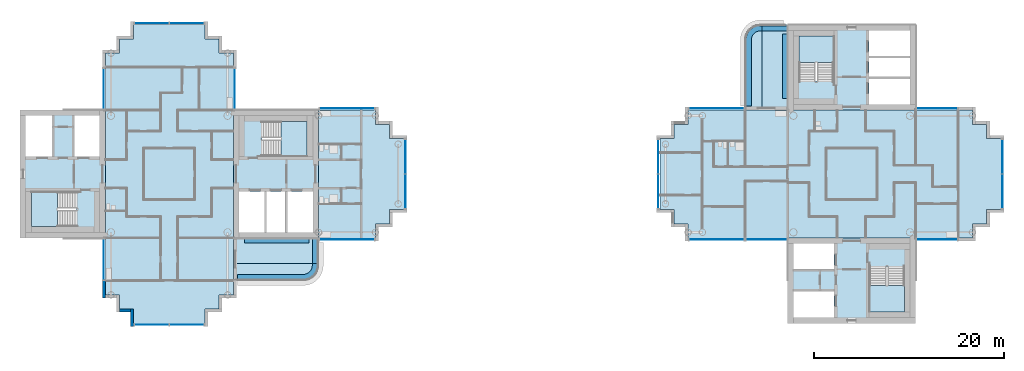
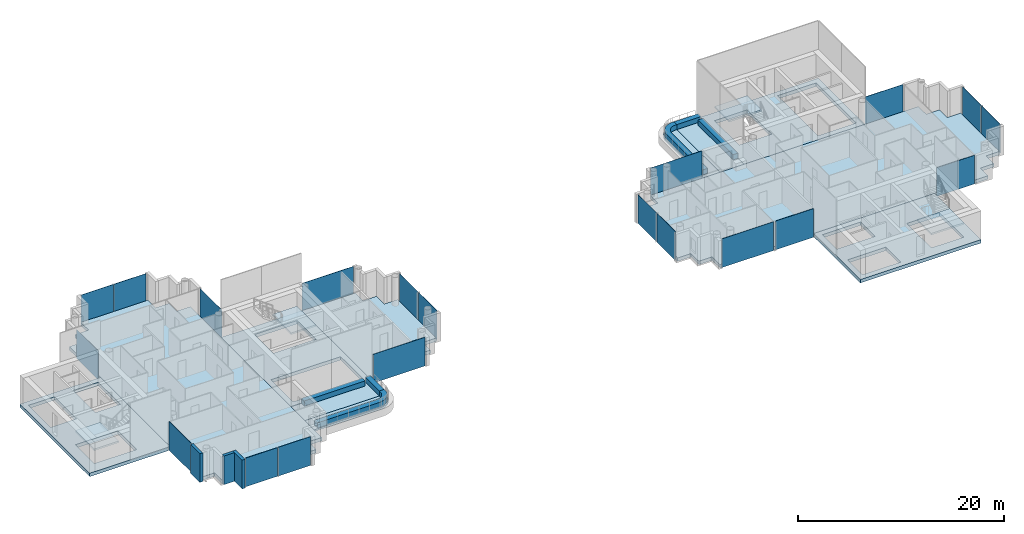
# One storey, part 5 of 18: 21 slabs, 20 plates, 3 walls, 19 elements without a shape of their own.
"""IFC4 building model written with IfcOpenShell, lengths in metres."""

from ifc_helpers import new_model, si_unit, direction, frame, frame_2d, origin, origin_2d, place, context, subcontext, project, spatial, polyline, rectangle, outline, extrude, material, layer, layer_set, type_object, element, aggregate, save


model = new_model("IFC4")

# Units and contexts
model_context = context("Model", 3, precision=1e-05, world=origin(), true_north=direction((0.0, 1.0)))
body_context = subcontext(model_context, "Body", "Model", "MODEL_VIEW")
ifc_project = project(units=[si_unit("LENGTHUNIT", "METRE"), si_unit("AREAUNIT", "SQUARE_METRE"), si_unit("VOLUMEUNIT", "CUBIC_METRE"), si_unit("PLANEANGLEUNIT", "RADIAN"), si_unit("MASSUNIT", "GRAM", prefix="KILO")], contexts=[model_context])

# Site, building, storey
site_placement = place(None, origin())
site = spatial("IfcSite", under=ifc_project, at=site_placement, CompositionType="ELEMENT")
building_placement = place(site_placement, origin())
building = spatial("IfcBuilding", under=site, at=building_placement, Name="Ipe Terrace Towers", CompositionType="ELEMENT")
storey_placement = place(building_placement, frame((0.0, 0.0, 199.39990234375)))
storey = spatial("IfcBuildingStorey", under=building, at=storey_placement, Name="L55", CompositionType="ELEMENT", Elevation=199.39990234375)

# Slabs
ifc_material_1 = material(Name="Concrete C30/37", Category="concrete")
ifc_layer_1 = layer(ifc_material_1, 0.199951171875)
ifc_layer_set_1 = layer_set([ifc_layer_1], Name="BALCONY SLAB 200")
slab_type_1 = type_object("IfcSlabType", Name="BALCONY SLAB 200", PredefinedType="FLOOR", material=ifc_layer_set_1)
slab_1_placement = place(storey_placement, frame((0.0, 0.0, -0.219970703125)))
element("IfcSlab", 1, at=slab_1_placement, inside=storey, type_object=slab_type_1, Name="balcony slab", PredefinedType="FLOOR", context=body_context, shape_type="SweptSolid", body=[
    extrude(outline(polyline([(-20.25, -6.75), (-29.25, -6.75), (-29.25, -9.449951171875), (-20.25, -9.449951171875), (-20.25, -6.75)])), origin(), (0.0, 0.0, 1.0), 0.199951171875),
])
slab_2_placement = place(storey_placement, frame((0.0, 0.0, -0.219970703125)))
element("IfcSlab", 2, at=slab_2_placement, inside=storey, type_object=slab_type_1, Name="balcony slab", PredefinedType="FLOOR", context=body_context, shape_type="SweptSolid", body=[
    extrude(outline(polyline([(-29.25, -11.25), (-21.85009765625, -11.25), (-21.64111328125, -11.236083984375), (-21.43603515625, -11.195068359375), (-21.238037109375, -11.1279296875), (-21.050048828125, -11.035888671875), (-20.8759765625, -10.9189453125), (-20.718994140625, -10.781005859375), (-20.5810546875, -10.6240234375), (-20.464111328125, -10.449951171875), (-20.3720703125, -10.261962890625), (-20.304931640625, -10.06396484375), (-20.263916015625, -9.85888671875), (-20.25, -9.64990234375), (-20.25, -9.449951171875), (-29.25, -9.449951171875), (-29.25, -11.25)])), origin(), (0.0, 0.0, 1.0), 0.199951171875),
])
slab_3_placement = place(storey_placement, frame((0.0, 0.0, -0.219970703125)))
element("IfcSlab", 3, at=slab_3_placement, inside=storey, type_object=slab_type_1, Name="balcony slab", PredefinedType="FLOOR", context=body_context, shape_type="SweptSolid", body=[
    extrude(outline(polyline([(29.25, 15.75), (26.550048828125, 15.75), (26.550048828125, 6.75), (29.25, 6.75), (29.25, 15.75)])), origin(), (0.0, 0.0, 1.0), 0.199951171875),
])
slab_4_placement = place(storey_placement, frame((0.0, 0.0, -0.219970703125)))
element("IfcSlab", 4, at=slab_4_placement, inside=storey, type_object=slab_type_1, Name="balcony slab", PredefinedType="FLOOR", context=body_context, shape_type="SweptSolid", body=[
    extrude(outline(polyline([(24.75, 6.75), (26.550048828125, 6.75), (26.550048828125, 15.75), (26.35009765625, 15.75), (26.14111328125, 15.736083984375), (25.93603515625, 15.695068359375), (25.738037109375, 15.6279296875), (25.550048828125, 15.535888671875), (25.3759765625, 15.4189453125), (25.218994140625, 15.281005859375), (25.0810546875, 15.1240234375), (24.964111328125, 14.949951171875), (24.8720703125, 14.761962890625), (24.804931640625, 14.56396484375), (24.763916015625, 14.35888671875), (24.75, 14.14990234375), (24.75, 6.75)])), origin(), (0.0, 0.0, 1.0), 0.199951171875),
])
ifc_material_2 = material(Name="Concrete C30/37", Category="concrete")
ifc_layer_2 = layer(ifc_material_2, 0.39990234375)
ifc_layer_set_2 = layer_set([ifc_layer_2], Name="CORE FLOOR SLAB 400 C30-37")
slab_type_2 = type_object("IfcSlabType", Name="CORE FLOOR SLAB 400 C30-37", PredefinedType="FLOOR", material=ifc_layer_set_2)
slab_5_placement = place(storey_placement, frame((0.0, 0.0, -0.39990234375)))
element("IfcSlab", 5, at=slab_5_placement, inside=storey, type_object=slab_type_2, Name="Core floor T1-C1", PredefinedType="FLOOR", context=body_context, shape_type="SweptSolid", body=[
    extrude(outline(polyline([(-29.25, -6.75), (-29.25, 6.75), (-20.25, 6.75), (-20.25, -6.75), (-29.25, -6.75)]), holes=[polyline([(-28.64990234375, -6.14990234375), (-20.85009765625, -6.14990234375), (-20.85009765625, -1.85009765625), (-28.64990234375, -1.85009765625), (-28.64990234375, -6.14990234375)]), polyline([(-26.199951171875, 5.550048828125), (-26.199951171875, 1.89990234375), (-21.449951171875, 1.89990234375), (-21.449951171875, 5.550048828125), (-26.199951171875, 5.550048828125)])]), origin(), (0.0, 0.0, 1.0), 0.39990234375),
])
slab_6_placement = place(storey_placement, frame((0.0, 0.0, -0.39990234375)))
element("IfcSlab", 6, at=slab_6_placement, inside=storey, type_object=slab_type_2, Name="Core floor T1-C2", PredefinedType="FLOOR", context=body_context, shape_type="SweptSolid", body=[
    extrude(outline(polyline([(-51.75, -6.75), (-51.75, 6.75), (-42.75, 6.75), (-42.75, -6.75), (-51.75, -6.75)]), holes=[polyline([(-45.800048828125, -1.89990234375), (-50.550048828125, -1.89990234375), (-50.550048828125, -5.550048828125), (-45.800048828125, -5.550048828125), (-45.800048828125, -1.89990234375)]), polyline([(-48.25, 1.85009765625), (-48.25, 6.14990234375), (-51.14990234375, 6.14990234375), (-51.14990234375, 1.85009765625), (-48.25, 1.85009765625)]), polyline([(-43.35009765625, 1.85009765625), (-43.35009765625, 6.14990234375), (-46.14990234375, 6.14990234375), (-46.14990234375, 1.85009765625), (-43.35009765625, 1.85009765625)])]), origin(), (0.0, 0.0, 1.0), 0.39990234375),
])
slab_7_placement = place(storey_placement, frame((0.0, 0.0, -0.39990234375)))
element("IfcSlab", 7, at=slab_7_placement, inside=storey, type_object=slab_type_2, Name="Core floor T2-C1", PredefinedType="FLOOR", context=body_context, shape_type="SweptSolid", body=[
    extrude(outline(polyline([(29.25, 6.75), (29.25, 15.75), (42.75, 15.75), (42.75, 6.75), (29.25, 6.75)]), holes=[polyline([(42.14990234375, 7.35009765625), (42.14990234375, 15.14990234375), (37.85009765625, 15.14990234375), (37.85009765625, 7.35009765625), (42.14990234375, 7.35009765625)]), polyline([(30.449951171875, 9.800048828125), (34.10009765625, 9.800048828125), (34.10009765625, 14.550048828125), (30.449951171875, 14.550048828125), (30.449951171875, 9.800048828125)])]), origin(), (0.0, 0.0, 1.0), 0.39990234375),
])
slab_8_placement = place(storey_placement, frame((0.0, 0.0, -0.39990234375)))
element("IfcSlab", 8, at=slab_8_placement, inside=storey, type_object=slab_type_2, Name="Core floor T2-C2", PredefinedType="FLOOR", context=body_context, shape_type="SweptSolid", body=[
    extrude(outline(polyline([(29.25, -15.75), (29.25, -6.75), (42.75, -6.75), (42.75, -15.75), (29.25, -15.75)]), holes=[polyline([(29.85009765625, -12.25), (29.85009765625, -15.14990234375), (34.14990234375, -15.14990234375), (34.14990234375, -12.25), (29.85009765625, -12.25)]), polyline([(41.550048828125, -9.800048828125), (37.89990234375, -9.800048828125), (37.89990234375, -14.550048828125), (41.550048828125, -14.550048828125), (41.550048828125, -9.800048828125)]), polyline([(34.14990234375, -7.35009765625), (29.85009765625, -7.35009765625), (29.85009765625, -10.14990234375), (34.14990234375, -10.14990234375), (34.14990234375, -7.35009765625)])]), origin(), (0.0, 0.0, 1.0), 0.39990234375),
])

# Stair, slab
ifc_material_3 = material(Name="Concrete C30/37", Category="concrete")
stair_type = type_object("IfcStairType", Name="Protected exit stair", PredefinedType="HALF_TURN_STAIR", material=ifc_material_3)
stair_1_placement = place(storey_placement, origin())
stair_1 = element("IfcStair", 9, at=stair_1_placement, inside=storey, type_object=stair_type, Name="L55 Exit stair T1-C1", PredefinedType="HALF_TURN_STAIR")
ifc_material_4 = material(Name="Concrete C30/37", Category="concrete")
ifc_layer_3 = layer(ifc_material_4, 0.199951171875)
ifc_layer_set_3 = layer_set([ifc_layer_3], Name="Exit stair landing 200")
slab_type_3 = type_object("IfcSlabType", Name="Exit stair landing 200", PredefinedType="LANDING", material=ifc_layer_set_3)
slab_9_placement = place(storey_placement, frame((0.0, 0.0, 1.5)))
slab_9 = element("IfcSlab", 10, at=slab_9_placement, type_object=slab_type_3, Name="T1-ST1 landing 1", PredefinedType="LANDING", context=body_context, shape_type="SweptSolid", body=[
    extrude(outline(polyline([(-24.219970703125, 1.89990234375), (-21.449951171875, 1.89990234375), (-21.449951171875, 5.550048828125), (-24.219970703125, 5.550048828125), (-24.219970703125, 1.89990234375)])), origin(), (0.0, 0.0, 1.0), 0.2001953125),
])
aggregate(stair_1, [slab_9])

stair_2_placement = place(storey_placement, origin())
stair_2 = element("IfcStair", 11, at=stair_2_placement, inside=storey, type_object=stair_type, Name="L55 Exit stair T1-C2", PredefinedType="HALF_TURN_STAIR")
slab_10_placement = place(storey_placement, frame((0.0, 0.0, 1.5)))
slab_10 = element("IfcSlab", 12, at=slab_10_placement, type_object=slab_type_3, Name="T1-ST2 landing 1", PredefinedType="LANDING", context=body_context, shape_type="SweptSolid", body=[
    extrude(outline(polyline([(-47.780029296875, -1.89990234375), (-50.550048828125, -1.89990234375), (-50.550048828125, -5.550048828125), (-47.780029296875, -5.550048828125), (-47.780029296875, -1.89990234375)])), origin(), (0.0, 0.0, 1.0), 0.2001953125),
])
aggregate(stair_2, [slab_10])

stair_3_placement = place(storey_placement, origin())
stair_3 = element("IfcStair", 13, at=stair_3_placement, inside=storey, type_object=stair_type, Name="L55 Exit stair T2-C1", PredefinedType="HALF_TURN_STAIR")
slab_11_placement = place(storey_placement, frame((0.0, 0.0, 1.5)))
slab_11 = element("IfcSlab", 14, at=slab_11_placement, type_object=slab_type_3, Name="T2-ST1 landing 1", PredefinedType="LANDING", context=body_context, shape_type="SweptSolid", body=[
    extrude(outline(polyline([(34.10009765625, 11.780029296875), (34.10009765625, 14.550048828125), (30.449951171875, 14.550048828125), (30.449951171875, 11.780029296875), (34.10009765625, 11.780029296875)])), origin(), (0.0, 0.0, 1.0), 0.2001953125),
])
aggregate(stair_3, [slab_11])

stair_4_placement = place(storey_placement, origin())
stair_4 = element("IfcStair", 15, at=stair_4_placement, inside=storey, type_object=stair_type, Name="L55 Exit stair T2-C2", PredefinedType="HALF_TURN_STAIR")
slab_12_placement = place(storey_placement, frame((0.0, 0.0, 1.5)))
slab_12 = element("IfcSlab", 16, at=slab_12_placement, type_object=slab_type_3, Name="T2-ST2 landing 1", PredefinedType="LANDING", context=body_context, shape_type="SweptSolid", body=[
    extrude(outline(polyline([(37.89990234375, -11.780029296875), (37.89990234375, -14.550048828125), (41.550048828125, -14.550048828125), (41.550048828125, -11.780029296875), (37.89990234375, -11.780029296875)])), origin(), (0.0, 0.0, 1.0), 0.2001953125),
])
aggregate(stair_4, [slab_12])

# Slabs
ifc_material_5 = material(Name="Concrete C40/50", Category="concrete")
ifc_layer_4 = layer(ifc_material_5, 0.39990234375)
ifc_layer_set_4 = layer_set([ifc_layer_4], Name="FLAT PLATE SLAB 400 C40-50")
slab_type_4 = type_object("IfcSlabType", Name="FLAT PLATE SLAB 400 C40-50", PredefinedType="FLOOR", material=ifc_layer_set_4)
slab_13_placement = place(storey_placement, frame((0.0, 0.0, -0.39990234375)))
element("IfcSlab", 17, at=slab_13_placement, inside=storey, type_object=slab_type_4, Name="Slab T1-FS-Z41", PredefinedType="FLOOR", context=body_context, shape_type="SweptSolid", body=[
    extrude(outline(polyline([(-30.75, -12.75), (-30.75, -14.25), (-32.25, -14.25), (-32.25, -15.75), (-39.75, -15.75), (-39.75, -14.25), (-41.25, -14.25), (-41.25, -12.75), (-42.75, -12.75), (-42.75, -6.75), (-42.75, 6.75), (-42.75, 12.75), (-41.25, 12.75), (-41.25, 14.25), (-39.75, 14.25), (-39.75, 15.75), (-32.25, 15.75), (-32.25, 14.25), (-30.75, 14.25), (-30.75, 12.75), (-29.25, 12.75), (-29.25, 6.75), (-29.25, -6.75), (-29.25, -12.75), (-30.75, -12.75)])), origin(), (0.0, 0.0, 1.0), 0.39990234375),
])
slab_14_placement = place(storey_placement, frame((0.0, 0.0, -0.39990234375)))
element("IfcSlab", 18, at=slab_14_placement, inside=storey, type_object=slab_type_4, Name="Slab T1-FS-Z42", PredefinedType="FLOOR", context=body_context, shape_type="SweptSolid", body=[
    extrude(outline(polyline([(-14.25, 5.25), (-12.75, 5.25), (-12.75, 3.75), (-11.25, 3.75), (-11.25, -3.75), (-12.75, -3.75), (-12.75, -5.25), (-14.25, -5.25), (-14.25, -6.75), (-20.25, -6.75), (-20.25, 6.75), (-14.25, 6.75), (-14.25, 5.25)])), origin(), (0.0, 0.0, 1.0), 0.39990234375),
])
slab_15_placement = place(storey_placement, frame((0.0, 0.0, -0.39990234375)))
element("IfcSlab", 19, at=slab_15_placement, inside=storey, type_object=slab_type_4, Name="Slab T2-FS-Z41", PredefinedType="FLOOR", context=body_context, shape_type="SweptSolid", body=[
    extrude(outline(polyline([(48.75, 5.25), (50.25, 5.25), (50.25, 3.75), (51.75, 3.75), (51.75, -3.75), (50.25, -3.75), (50.25, -5.25), (48.75, -5.25), (48.75, -6.75), (42.75, -6.75), (29.25, -6.75), (18.75, -6.75), (18.75, -5.25), (17.25, -5.25), (17.25, -3.75), (15.75, -3.75), (15.75, 3.75), (17.25, 3.75), (17.25, 5.25), (18.75, 5.25), (18.75, 6.75), (29.25, 6.75), (42.75, 6.75), (48.75, 6.75), (48.75, 5.25)])), origin(), (0.0, 0.0, 1.0), 0.39990234375),
])
ifc_material_6 = material(Name="Concrete C30/37", Category="concrete")
ifc_layer_5 = layer(ifc_material_6, 0.60009765625)
ifc_layer_set_5 = layer_set([ifc_layer_5], Name="PLANTER TROUGH 550 x 600")
slab_type_5 = type_object("IfcSlabType", Name="PLANTER TROUGH 550 x 600", PredefinedType="USERDEFINED", material=ifc_layer_set_5)
slab_16_placement = place(storey_placement, frame((0.0, 0.0, -0.02001953125)))
element("IfcSlab", 20, at=slab_16_placement, inside=storey, type_object=slab_type_5, Name="planter", ObjectType="PLANTER", PredefinedType="USERDEFINED", context=body_context, shape_type="SweptSolid", body=[
    extrude(outline(polyline([(-20.360107421875, -6.75), (-20.909912109375, -6.75), (-20.909912109375, -9.449951171875), (-20.360107421875, -9.449951171875), (-20.360107421875, -6.75)])), origin(), (0.0, 0.0, 1.0), 0.60009765625),
])
slab_17_placement = place(storey_placement, frame((0.0, 0.0, -0.02001953125)))
element("IfcSlab", 21, at=slab_17_placement, inside=storey, type_object=slab_type_5, Name="planter", ObjectType="PLANTER", PredefinedType="USERDEFINED", context=body_context, shape_type="SweptSolid", body=[
    extrude(outline(polyline([(-20.943115234375, -9.89306640625), (-20.98291015625, -10.009033203125), (-21.037109375, -10.118896484375), (-21.10498046875, -10.220947265625), (-21.18603515625, -10.31396484375), (-21.279052734375, -10.39501953125), (-21.381103515625, -10.462890625), (-21.490966796875, -10.51708984375), (-21.60693359375, -10.556884765625), (-21.72705078125, -10.5810546875), (-21.8720703125, -10.590087890625), (-28.800048828125, -10.590087890625), (-28.800048828125, -11.139892578125), (-21.863037109375, -11.139892578125), (-21.844970703125, -11.138916015625), (-21.674072265625, -11.1279296875), (-21.637939453125, -11.1240234375), (-21.48193359375, -11.093017578125), (-21.447021484375, -11.0830078125), (-21.297119140625, -11.031982421875), (-21.263916015625, -11.01806640625), (-21.12109375, -10.947998046875), (-21.090087890625, -10.929931640625), (-20.9580078125, -10.842041015625), (-20.929931640625, -10.820068359375), (-20.81005859375, -10.715087890625), (-20.784912109375, -10.68994140625), (-20.679931640625, -10.570068359375), (-20.657958984375, -10.5419921875), (-20.570068359375, -10.409912109375), (-20.552001953125, -10.37890625), (-20.48193359375, -10.236083984375), (-20.468017578125, -10.202880859375), (-20.4169921875, -10.052978515625), (-20.406982421875, -10.01806640625), (-20.3759765625, -9.862060546875), (-20.3720703125, -9.825927734375), (-20.361083984375, -9.655029296875), (-20.360107421875, -9.636962890625), (-20.360107421875, -9.449951171875), (-20.909912109375, -9.449951171875), (-20.909912109375, -9.6279296875), (-20.9189453125, -9.77294921875), (-20.943115234375, -9.89306640625)])), origin(), (0.0, 0.0, 1.0), 0.60009765625),
])
slab_18_placement = place(storey_placement, frame((0.0, 0.0, -0.02001953125)))
element("IfcSlab", 22, at=slab_18_placement, inside=storey, type_object=slab_type_5, Name="planter", ObjectType="PLANTER", PredefinedType="USERDEFINED", context=body_context, shape_type="SweptSolid", body=[
    extrude(outline(polyline([(-28.050048828125, -6.75), (-28.050048828125, -7.300048828125), (-21.25, -7.300048828125), (-21.25, -6.75), (-28.050048828125, -6.75)])), origin(), (0.0, 0.0, 1.0), 0.60009765625),
])
slab_19_placement = place(storey_placement, frame((0.0, 0.0, -0.02001953125)))
element("IfcSlab", 23, at=slab_19_placement, inside=storey, type_object=slab_type_5, Name="planter", ObjectType="PLANTER", PredefinedType="USERDEFINED", context=body_context, shape_type="SweptSolid", body=[
    extrude(outline(polyline([(29.25, 15.639892578125), (26.550048828125, 15.639892578125), (26.550048828125, 15.090087890625), (29.25, 15.090087890625), (29.25, 15.639892578125)])), origin(), (0.0, 0.0, 1.0), 0.60009765625),
])
slab_20_placement = place(storey_placement, frame((0.0, 0.0, -0.02001953125)))
element("IfcSlab", 24, at=slab_20_placement, inside=storey, type_object=slab_type_5, Name="planter", ObjectType="PLANTER", PredefinedType="USERDEFINED", context=body_context, shape_type="SweptSolid", body=[
    extrude(outline(polyline([(26.10693359375, 15.056884765625), (26.22705078125, 15.0810546875), (26.3720703125, 15.090087890625), (26.550048828125, 15.090087890625), (26.550048828125, 15.639892578125), (26.363037109375, 15.639892578125), (26.344970703125, 15.638916015625), (26.174072265625, 15.6279296875), (26.137939453125, 15.6240234375), (25.98193359375, 15.593017578125), (25.947021484375, 15.5830078125), (25.797119140625, 15.531982421875), (25.763916015625, 15.51806640625), (25.62109375, 15.447998046875), (25.590087890625, 15.429931640625), (25.4580078125, 15.342041015625), (25.429931640625, 15.320068359375), (25.31005859375, 15.215087890625), (25.284912109375, 15.18994140625), (25.179931640625, 15.070068359375), (25.157958984375, 15.0419921875), (25.070068359375, 14.909912109375), (25.052001953125, 14.87890625), (24.98193359375, 14.736083984375), (24.968017578125, 14.702880859375), (24.9169921875, 14.552978515625), (24.906982421875, 14.51806640625), (24.8759765625, 14.362060546875), (24.8720703125, 14.325927734375), (24.861083984375, 14.155029296875), (24.860107421875, 14.136962890625), (24.860107421875, 7.199951171875), (25.409912109375, 7.199951171875), (25.409912109375, 14.1279296875), (25.4189453125, 14.27294921875), (25.443115234375, 14.39306640625), (25.48291015625, 14.509033203125), (25.537109375, 14.618896484375), (25.60498046875, 14.720947265625), (25.68603515625, 14.81396484375), (25.779052734375, 14.89501953125), (25.881103515625, 14.962890625), (25.990966796875, 15.01708984375), (26.10693359375, 15.056884765625)])), origin(), (0.0, 0.0, 1.0), 0.60009765625),
])
slab_21_placement = place(storey_placement, frame((0.0, 0.0, -0.02001953125)))
element("IfcSlab", 25, at=slab_21_placement, inside=storey, type_object=slab_type_5, Name="planter", ObjectType="PLANTER", PredefinedType="USERDEFINED", context=body_context, shape_type="SweptSolid", body=[
    extrude(outline(polyline([(29.25, 7.949951171875), (29.25, 14.75), (28.699951171875, 14.75), (28.699951171875, 7.949951171875), (29.25, 7.949951171875)])), origin(), (0.0, 0.0, 1.0), 0.60009765625),
])

# Curtain wall, plate
ifc_material_7 = material(Name="Aluminium alloy 6063-T6", Category="aluminium")
ifc_layer_6 = layer(ifc_material_7, 0.320068359375)
ifc_layer_set_6 = layer_set([ifc_layer_6], Name="TOWER UNITISED CURTAIN WALL")
curtain_wall_type = type_object("IfcCurtainWallType", Name="TOWER UNITISED CURTAIN WALL", PredefinedType="NOTDEFINED", material=ifc_layer_set_6)
curtain_wall_1_placement = place(storey_placement, origin())
curtain_wall_1 = element("IfcCurtainWall", 26, at=curtain_wall_1_placement, inside=storey, type_object=curtain_wall_type, Name="T1-CW-L55-02a curtain wall", PredefinedType="NOTDEFINED")
ifc_material_8 = material(Name="Glass, clear laminated", Category="glass")
ifc_layer_7 = layer(ifc_material_8, 0.031982421875)
ifc_layer_set_7 = layer_set([ifc_layer_7], Name="TOWER UNITISED GLASS PANEL 32")
plate_type = type_object("IfcPlateType", Name="TOWER UNITISED GLASS PANEL 32", PredefinedType="CURTAIN_PANEL", material=ifc_layer_set_7)
plate_1_placement = place(storey_placement, frame((-42.909912109375, -9.0, -0.2998046875), z_axis=(0.0, 0.0, 1.0), x_axis=(0.0, -1.0, 0.0)))
plate_1 = element("IfcPlate", 27, at=plate_1_placement, type_object=plate_type, Name="T1-CW-L55-02a panel 1", PredefinedType="CURTAIN_PANEL", context=body_context, shape_type="SweptSolid", body=[
    extrude(rectangle(XDim=4.260009765625, YDim=0.031982421875, at=origin_2d()), origin(), (0.0, 0.0, 1.0), 3.39990234375),
])
aggregate(curtain_wall_1, [plate_1])

# Curtain wall, plates
curtain_wall_2_placement = place(storey_placement, origin())
curtain_wall_2 = element("IfcCurtainWall", 28, at=curtain_wall_2_placement, inside=storey, type_object=curtain_wall_type, Name="T1-CW-L55-08a curtain wall", PredefinedType="NOTDEFINED")
plate_2_placement = place(storey_placement, frame((-37.831298828125, -15.909912109375, -0.2998046875), z_axis=(0.0, 0.0, 1.0), x_axis=(1.0, 0.0, 0.0)))
plate_2 = element("IfcPlate", 29, at=plate_2_placement, type_object=plate_type, Name="T1-CW-L55-08a panel 1", PredefinedType="CURTAIN_PANEL", context=body_context, shape_type="SweptSolid", body=[
    extrude(rectangle(XDim=3.597412109375, YDim=0.031982421875, at=origin_2d()), origin(), (0.0, 0.0, 1.0), 3.39990234375),
])
plate_3_placement = place(storey_placement, frame((-34.168701171875, -15.909912109375, -0.2998046875), z_axis=(0.0, 0.0, 1.0), x_axis=(1.0, 0.0, 0.0)))
plate_3 = element("IfcPlate", 30, at=plate_3_placement, type_object=plate_type, Name="T1-CW-L55-08a panel 2", PredefinedType="CURTAIN_PANEL", context=body_context, shape_type="SweptSolid", body=[
    extrude(rectangle(XDim=3.597412109375, YDim=0.031982421875, at=origin_2d()), origin(), (0.0, 0.0, 1.0), 3.39990234375),
])
aggregate(curtain_wall_2, [plate_2, plate_3])

# Curtain wall, plate
curtain_wall_3_placement = place(storey_placement, origin())
curtain_wall_3 = element("IfcCurtainWall", 31, at=curtain_wall_3_placement, inside=storey, type_object=curtain_wall_type, Name="T1-CW-L55-16b curtain wall", PredefinedType="NOTDEFINED")
plate_4_placement = place(storey_placement, frame((-17.24951171875, -6.909912109375, -0.2998046875), z_axis=(0.0, 0.0, 1.0), x_axis=(1.0, 0.0, 0.0)))
plate_4 = element("IfcPlate", 32, at=plate_4_placement, type_object=plate_type, Name="T1-CW-L55-16b panel 1", PredefinedType="CURTAIN_PANEL", context=body_context, shape_type="SweptSolid", body=[
    extrude(rectangle(XDim=5.759033203125, YDim=0.031982421875, at=origin_2d()), origin(), (0.0, 0.0, 1.0), 3.39990234375),
])
aggregate(curtain_wall_3, [plate_4])

# Curtain wall, plates
curtain_wall_4_placement = place(storey_placement, origin())
curtain_wall_4 = element("IfcCurtainWall", 33, at=curtain_wall_4_placement, inside=storey, type_object=curtain_wall_type, Name="T1-CW-L55-21a curtain wall", PredefinedType="NOTDEFINED")
plate_5_placement = place(storey_placement, frame((-11.090087890625, -1.831298828125, -0.2998046875), z_axis=(0.0, 0.0, 1.0), x_axis=(0.0, 1.0, 0.0)))
plate_5 = element("IfcPlate", 34, at=plate_5_placement, type_object=plate_type, Name="T1-CW-L55-21a panel 1", PredefinedType="CURTAIN_PANEL", context=body_context, shape_type="SweptSolid", body=[
    extrude(rectangle(XDim=3.597412109375, YDim=0.031982421875, at=origin_2d()), origin(), (0.0, 0.0, 1.0), 3.39990234375),
])
plate_6_placement = place(storey_placement, frame((-11.090087890625, 1.831298828125, -0.2998046875), z_axis=(0.0, 0.0, 1.0), x_axis=(0.0, 1.0, 0.0)))
plate_6 = element("IfcPlate", 35, at=plate_6_placement, type_object=plate_type, Name="T1-CW-L55-21a panel 2", PredefinedType="CURTAIN_PANEL", context=body_context, shape_type="SweptSolid", body=[
    extrude(rectangle(XDim=3.597412109375, YDim=0.031982421875, at=origin_2d()), origin(), (0.0, 0.0, 1.0), 3.39990234375),
])
aggregate(curtain_wall_4, [plate_5, plate_6])

# Curtain wall, plate
curtain_wall_5_placement = place(storey_placement, origin())
curtain_wall_5 = element("IfcCurtainWall", 36, at=curtain_wall_5_placement, inside=storey, type_object=curtain_wall_type, Name="T1-CW-L55-26a curtain wall", PredefinedType="NOTDEFINED")
plate_7_placement = place(storey_placement, frame((-17.24951171875, 6.909912109375, -0.2998046875), z_axis=(0.0, 0.0, 1.0), x_axis=(-1.0, 0.0, 0.0)))
plate_7 = element("IfcPlate", 37, at=plate_7_placement, type_object=plate_type, Name="T1-CW-L55-26a panel 1", PredefinedType="CURTAIN_PANEL", context=body_context, shape_type="SweptSolid", body=[
    extrude(rectangle(XDim=5.759033203125, YDim=0.031982421875, at=origin_2d()), origin(), (0.0, 0.0, 1.0), 3.39990234375),
])
aggregate(curtain_wall_5, [plate_7])

curtain_wall_6_placement = place(storey_placement, origin())
curtain_wall_6 = element("IfcCurtainWall", 38, at=curtain_wall_6_placement, inside=storey, type_object=curtain_wall_type, Name="T1-CW-L55-28a curtain wall", PredefinedType="NOTDEFINED")
plate_8_placement = place(storey_placement, frame((-29.090087890625, 9.0, -0.2998046875), z_axis=(0.0, 0.0, 1.0), x_axis=(0.0, 1.0, 0.0)))
plate_8 = element("IfcPlate", 39, at=plate_8_placement, type_object=plate_type, Name="T1-CW-L55-28a panel 1", PredefinedType="CURTAIN_PANEL", context=body_context, shape_type="SweptSolid", body=[
    extrude(rectangle(XDim=4.260009765625, YDim=0.031982421875, at=origin_2d()), origin(), (0.0, 0.0, 1.0), 3.39990234375),
])
aggregate(curtain_wall_6, [plate_8])

# Curtain wall, plates
curtain_wall_7_placement = place(storey_placement, origin())
curtain_wall_7 = element("IfcCurtainWall", 40, at=curtain_wall_7_placement, inside=storey, type_object=curtain_wall_type, Name="T1-CW-L55-34a curtain wall", PredefinedType="NOTDEFINED")
plate_9_placement = place(storey_placement, frame((-34.168701171875, 15.909912109375, -0.2998046875), z_axis=(0.0, 0.0, 1.0), x_axis=(-1.0, 0.0, 0.0)))
plate_9 = element("IfcPlate", 41, at=plate_9_placement, type_object=plate_type, Name="T1-CW-L55-34a panel 1", PredefinedType="CURTAIN_PANEL", context=body_context, shape_type="SweptSolid", body=[
    extrude(rectangle(XDim=3.597412109375, YDim=0.031982421875, at=origin_2d()), origin(), (0.0, 0.0, 1.0), 3.39990234375),
])
plate_10_placement = place(storey_placement, frame((-37.831298828125, 15.909912109375, -0.2998046875), z_axis=(0.0, 0.0, 1.0), x_axis=(-1.0, 0.0, 0.0)))
plate_10 = element("IfcPlate", 42, at=plate_10_placement, type_object=plate_type, Name="T1-CW-L55-34a panel 2", PredefinedType="CURTAIN_PANEL", context=body_context, shape_type="SweptSolid", body=[
    extrude(rectangle(XDim=3.597412109375, YDim=0.031982421875, at=origin_2d()), origin(), (0.0, 0.0, 1.0), 3.39990234375),
])
aggregate(curtain_wall_7, [plate_9, plate_10])

# Curtain wall, plate
curtain_wall_8_placement = place(storey_placement, origin())
curtain_wall_8 = element("IfcCurtainWall", 43, at=curtain_wall_8_placement, inside=storey, type_object=curtain_wall_type, Name="T1-CW-L55-40a curtain wall", PredefinedType="NOTDEFINED")
plate_11_placement = place(storey_placement, frame((-42.909912109375, 9.0, -0.2998046875), z_axis=(0.0, 0.0, 1.0), x_axis=(0.0, -1.0, 0.0)))
plate_11 = element("IfcPlate", 44, at=plate_11_placement, type_object=plate_type, Name="T1-CW-L55-40a panel 1", PredefinedType="CURTAIN_PANEL", context=body_context, shape_type="SweptSolid", body=[
    extrude(rectangle(XDim=4.260009765625, YDim=0.031982421875, at=origin_2d()), origin(), (0.0, 0.0, 1.0), 3.39990234375),
])
aggregate(curtain_wall_8, [plate_11])

curtain_wall_9_placement = place(storey_placement, origin())
curtain_wall_9 = element("IfcCurtainWall", 45, at=curtain_wall_9_placement, inside=storey, type_object=curtain_wall_type, Name="T2-CW-L55-02a curtain wall", PredefinedType="NOTDEFINED")
plate_12_placement = place(storey_placement, frame((45.0, -6.909912109375, -0.2998046875), z_axis=(0.0, 0.0, 1.0), x_axis=(1.0, 0.0, 0.0)))
plate_12 = element("IfcPlate", 46, at=plate_12_placement, type_object=plate_type, Name="T2-CW-L55-02a panel 1", PredefinedType="CURTAIN_PANEL", context=body_context, shape_type="SweptSolid", body=[
    extrude(rectangle(XDim=4.260009765625, YDim=0.031982421875, at=origin_2d()), origin(), (0.0, 0.0, 1.0), 3.39990234375),
])
aggregate(curtain_wall_9, [plate_12])

# Curtain wall, plates
curtain_wall_10_placement = place(storey_placement, origin())
curtain_wall_10 = element("IfcCurtainWall", 47, at=curtain_wall_10_placement, inside=storey, type_object=curtain_wall_type, Name="T2-CW-L55-08a curtain wall", PredefinedType="NOTDEFINED")
plate_13_placement = place(storey_placement, frame((51.909912109375, -1.831298828125, -0.2998046875), z_axis=(0.0, 0.0, 1.0), x_axis=(0.0, 1.0, 0.0)))
plate_13 = element("IfcPlate", 48, at=plate_13_placement, type_object=plate_type, Name="T2-CW-L55-08a panel 1", PredefinedType="CURTAIN_PANEL", context=body_context, shape_type="SweptSolid", body=[
    extrude(rectangle(XDim=3.597412109375, YDim=0.031982421875, at=origin_2d()), origin(), (0.0, 0.0, 1.0), 3.39990234375),
])
plate_14_placement = place(storey_placement, frame((51.909912109375, 1.831298828125, -0.2998046875), z_axis=(0.0, 0.0, 1.0), x_axis=(0.0, 1.0, 0.0)))
plate_14 = element("IfcPlate", 49, at=plate_14_placement, type_object=plate_type, Name="T2-CW-L55-08a panel 2", PredefinedType="CURTAIN_PANEL", context=body_context, shape_type="SweptSolid", body=[
    extrude(rectangle(XDim=3.597412109375, YDim=0.031982421875, at=origin_2d()), origin(), (0.0, 0.0, 1.0), 3.39990234375),
])
aggregate(curtain_wall_10, [plate_13, plate_14])

# Curtain wall, plate
curtain_wall_11_placement = place(storey_placement, origin())
curtain_wall_11 = element("IfcCurtainWall", 50, at=curtain_wall_11_placement, inside=storey, type_object=curtain_wall_type, Name="T2-CW-L55-14a curtain wall", PredefinedType="NOTDEFINED")
plate_15_placement = place(storey_placement, frame((45.0, 6.909912109375, -0.2998046875), z_axis=(0.0, 0.0, 1.0), x_axis=(-1.0, 0.0, 0.0)))
plate_15 = element("IfcPlate", 51, at=plate_15_placement, type_object=plate_type, Name="T2-CW-L55-14a panel 1", PredefinedType="CURTAIN_PANEL", context=body_context, shape_type="SweptSolid", body=[
    extrude(rectangle(XDim=4.260009765625, YDim=0.031982421875, at=origin_2d()), origin(), (0.0, 0.0, 1.0), 3.39990234375),
])
aggregate(curtain_wall_11, [plate_15])

curtain_wall_12_placement = place(storey_placement, origin())
curtain_wall_12 = element("IfcCurtainWall", 52, at=curtain_wall_12_placement, inside=storey, type_object=curtain_wall_type, Name="T2-CW-L55-21a curtain wall", PredefinedType="NOTDEFINED")
plate_16_placement = place(storey_placement, frame((21.75, 6.909912109375, -0.2998046875), z_axis=(0.0, 0.0, 1.0), x_axis=(-1.0, 0.0, 0.0)))
plate_16 = element("IfcPlate", 53, at=plate_16_placement, type_object=plate_type, Name="T2-CW-L55-21a panel 1", PredefinedType="CURTAIN_PANEL", context=body_context, shape_type="SweptSolid", body=[
    extrude(rectangle(XDim=5.760009765625, YDim=0.031982421875, at=origin_2d()), origin(), (0.0, 0.0, 1.0), 3.39990234375),
])
aggregate(curtain_wall_12, [plate_16])

# Curtain wall, plates
curtain_wall_13_placement = place(storey_placement, origin())
curtain_wall_13 = element("IfcCurtainWall", 54, at=curtain_wall_13_placement, inside=storey, type_object=curtain_wall_type, Name="T2-CW-L55-26a curtain wall", PredefinedType="NOTDEFINED")
plate_17_placement = place(storey_placement, frame((15.590087890625, 1.831298828125, -0.2998046875), z_axis=(0.0, 0.0, 1.0), x_axis=(0.0, -1.0, 0.0)))
plate_17 = element("IfcPlate", 55, at=plate_17_placement, type_object=plate_type, Name="T2-CW-L55-26a panel 1", PredefinedType="CURTAIN_PANEL", context=body_context, shape_type="SweptSolid", body=[
    extrude(rectangle(XDim=3.597412109375, YDim=0.031982421875, at=origin_2d()), origin(), (0.0, 0.0, 1.0), 3.39990234375),
])
plate_18_placement = place(storey_placement, frame((15.590087890625, -1.831298828125, -0.2998046875), z_axis=(0.0, 0.0, 1.0), x_axis=(0.0, -1.0, 0.0)))
plate_18 = element("IfcPlate", 56, at=plate_18_placement, type_object=plate_type, Name="T2-CW-L55-26a panel 2", PredefinedType="CURTAIN_PANEL", context=body_context, shape_type="SweptSolid", body=[
    extrude(rectangle(XDim=3.597412109375, YDim=0.031982421875, at=origin_2d()), origin(), (0.0, 0.0, 1.0), 3.39990234375),
])
aggregate(curtain_wall_13, [plate_17, plate_18])

# Curtain wall, plate
curtain_wall_14_placement = place(storey_placement, origin())
curtain_wall_14 = element("IfcCurtainWall", 57, at=curtain_wall_14_placement, inside=storey, type_object=curtain_wall_type, Name="T2-CW-L55-31a curtain wall", PredefinedType="NOTDEFINED")
plate_19_placement = place(storey_placement, frame((21.75, -6.909912109375, -0.2998046875), z_axis=(0.0, 0.0, 1.0), x_axis=(1.0, 0.0, 0.0)))
plate_19 = element("IfcPlate", 58, at=plate_19_placement, type_object=plate_type, Name="T2-CW-L55-31a panel 1", PredefinedType="CURTAIN_PANEL", context=body_context, shape_type="SweptSolid", body=[
    extrude(rectangle(XDim=5.760009765625, YDim=0.031982421875, at=origin_2d()), origin(), (0.0, 0.0, 1.0), 3.39990234375),
])
aggregate(curtain_wall_14, [plate_19])

curtain_wall_15_placement = place(storey_placement, origin())
curtain_wall_15 = element("IfcCurtainWall", 59, at=curtain_wall_15_placement, inside=storey, type_object=curtain_wall_type, Name="T2-CW-L55-32a curtain wall", PredefinedType="NOTDEFINED")
plate_20_placement = place(storey_placement, frame((27.0, -6.909912109375, -0.2998046875), z_axis=(0.0, 0.0, 1.0), x_axis=(1.0, 0.0, 0.0)))
plate_20 = element("IfcPlate", 60, at=plate_20_placement, type_object=plate_type, Name="T2-CW-L55-32a panel 1", PredefinedType="CURTAIN_PANEL", context=body_context, shape_type="SweptSolid", body=[
    extrude(rectangle(XDim=4.260009765625, YDim=0.031982421875, at=origin_2d()), origin(), (0.0, 0.0, 1.0), 3.39990234375),
])
aggregate(curtain_wall_15, [plate_20])

# Walls
ifc_material_9 = material(Name="Concrete C40/50 with buff precast cladding", Category="concrete")
ifc_layer_8 = layer(ifc_material_9, 0.320068359375)
ifc_layer_set_8 = layer_set([ifc_layer_8], Name="BUFF CLADDING WALL 320")
wall_type = type_object("IfcWallType", Name="BUFF CLADDING WALL 320", PredefinedType="STANDARD", material=ifc_layer_set_8)
wall_1_placement = place(storey_placement, frame((-42.909912109375, -11.25, -0.2998046875), z_axis=(0.0, 0.0, 1.0), x_axis=(0.0, -1.0, 0.0)))
element("IfcWall", 61, at=wall_1_placement, inside=storey, type_object=wall_type, Name="T1-W-L55-03a wall", PredefinedType="STANDARD", context=body_context, shape_type="SweptSolid", body=[
    extrude(rectangle(XDim=1.820068359375, YDim=0.320068359375, at=frame_2d((0.91015625, 0.0))), origin(), (0.0, 0.0, 1.0), 3.39990234375),
])
wall_2_placement = place(storey_placement, frame((-41.25, -14.409912109375, -0.2998046875), z_axis=(0.0, 0.0, 1.0), x_axis=(1.0, 0.0, 0.0)))
element("IfcWall", 62, at=wall_2_placement, inside=storey, type_object=wall_type, Name="T1-W-L55-06a wall", PredefinedType="STANDARD", context=body_context, shape_type="SweptSolid", body=[
    extrude(rectangle(XDim=1.179931640625, YDim=0.320068359375, at=frame_2d((0.58984375, 0.0))), origin(), (0.0, 0.0, 1.0), 3.39990234375),
])
wall_3_placement = place(storey_placement, frame((-39.909912109375, -14.25, -0.2998046875), z_axis=(0.0, 0.0, 1.0), x_axis=(0.0, -1.0, 0.0)))
element("IfcWall", 63, at=wall_3_placement, inside=storey, type_object=wall_type, Name="T1-W-L55-07a wall", PredefinedType="STANDARD", context=body_context, shape_type="SweptSolid", body=[
    extrude(rectangle(XDim=1.820068359375, YDim=0.320068359375, at=frame_2d((0.91015625, 0.0))), origin(), (0.0, 0.0, 1.0), 3.39990234375),
])

save(model, "model.ifc")
